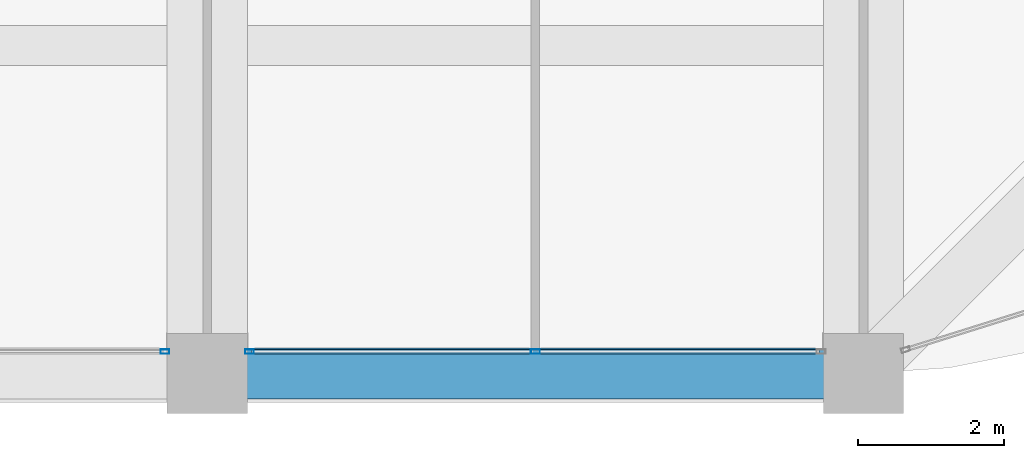
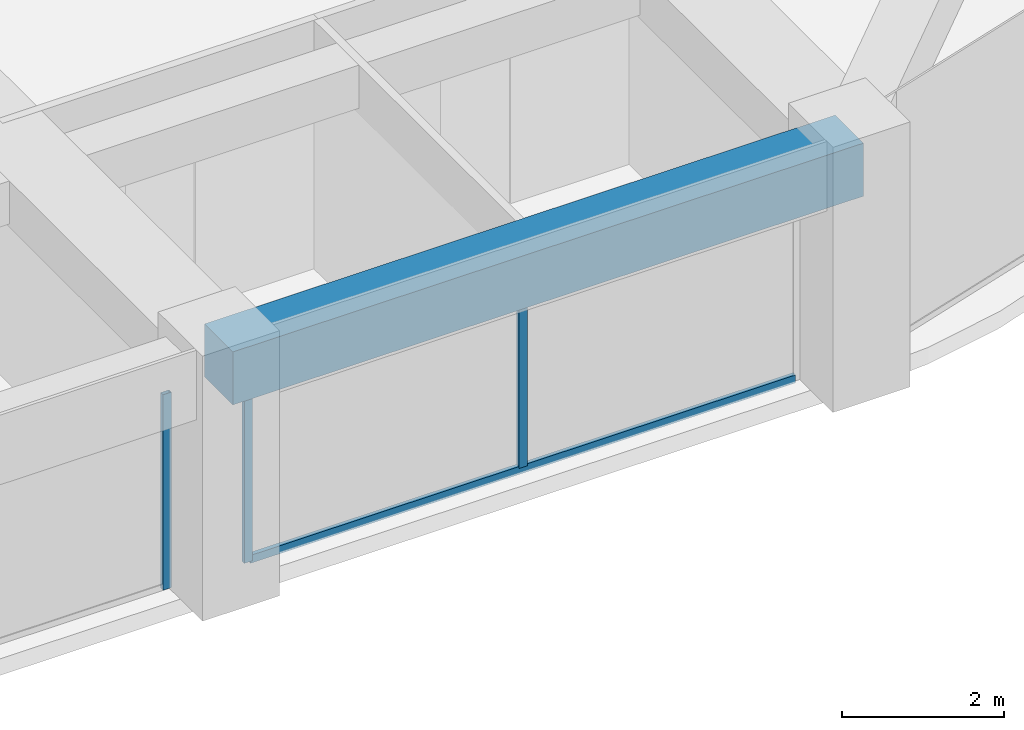
# One storey, part 11 of 44: 4 members, 1 beam, 2 elements without a shape of their own.
"""IFC4 building model written with IfcOpenShell, lengths in metres."""

from ifc_helpers import new_model, si_unit, direction, frame, origin, origin_2d, place, context, subcontext, project, spatial, rectangle, hollow_rectangle, extrude, material, material_profile, profile_set, type_object, element, aggregate, save


model = new_model("IFC4")

# Units and contexts
model_context = context("Model", 3, precision=1e-05, world=origin(), true_north=direction((0.0, 1.0)))
body_context = subcontext(model_context, "Body", "Model", "MODEL_VIEW")
ifc_project = project(units=[si_unit("LENGTHUNIT", "METRE"), si_unit("AREAUNIT", "SQUARE_METRE"), si_unit("VOLUMEUNIT", "CUBIC_METRE"), si_unit("PLANEANGLEUNIT", "RADIAN"), si_unit("MASSUNIT", "GRAM", prefix="KILO")], contexts=[model_context])

# Site, building, storey
site_placement = place(None, origin())
site = spatial("IfcSite", under=ifc_project, at=site_placement, CompositionType="ELEMENT")
building_placement = place(site_placement, origin())
building = spatial("IfcBuilding", under=site, at=building_placement, Name="Zorevar Civic Tower", CompositionType="ELEMENT")
storey_placement = place(building_placement, frame((0.0, 0.0, 259.39990234375)))
storey = spatial("IfcBuildingStorey", under=building, at=storey_placement, Name="L63", CompositionType="ELEMENT", Elevation=259.39990234375)

# Curtain wall, member
ifc_material_1 = material(Name="Dark grey solar-control glass in black aluminium frame", Category="aluminium")
curtain_wall_type = type_object("IfcCurtainWallType", Name="Curtain wall CW5 top zone", PredefinedType="NOTDEFINED", material=ifc_material_1)
curtain_wall_1_placement = place(storey_placement, origin())
curtain_wall_1 = element("IfcCurtainWall", 1, at=curtain_wall_1_placement, inside=storey, type_object=curtain_wall_type, Name="CW5 L63", PredefinedType="NOTDEFINED")
ifc_material_2 = material(Name="Aluminium, black anodised", Category="aluminium")
ifc_material_profile_1 = material_profile(ifc_material_2, hollow_rectangle(XDim=0.06005859375, YDim=0.1201171875, WallThickness=0.0029296875, at=origin_2d()), Name="AL 120x60x3")
ifc_profile_set_1 = profile_set([ifc_material_profile_1], Name="Aluminium, black anodised")
member_type_1 = type_object("IfcMemberType", Name="CW5 mullion AL 120x60x3", PredefinedType="MULLION", material=ifc_profile_set_1)
member_1_placement = place(storey_placement, frame((35.419921875, 0.300048828125, 0.0), z_axis=(0.0, 0.0, 1.0), x_axis=(0.0, 1.0, 0.0)))
member_1 = element("IfcMember", 2, at=member_1_placement, type_object=member_type_1, Name="CW5 mullion 3", PredefinedType="MULLION", context=body_context, shape_type="SweptSolid", body=[
    extrude(hollow_rectangle(XDim=0.06005859375, YDim=0.1201171875, WallThickness=0.0029296875, at=origin_2d()), origin(), (0.0, 0.0, 1.0), 2.9501953125),
])
aggregate(curtain_wall_1, [member_1])

# Curtain wall, members
curtain_wall_2_placement = place(storey_placement, origin())
curtain_wall_2 = element("IfcCurtainWall", 3, at=curtain_wall_2_placement, inside=storey, type_object=curtain_wall_type, Name="CW5 L63", PredefinedType="NOTDEFINED")
member_2_placement = place(storey_placement, frame((36.580078125, 0.300048828125, 0.0), z_axis=(0.0, 0.0, 1.0), x_axis=(0.0, 1.0, 0.0)))
member_2 = element("IfcMember", 4, at=member_2_placement, type_object=member_type_1, Name="CW5 mullion 1", PredefinedType="MULLION", context=body_context, shape_type="SweptSolid", body=[
    extrude(hollow_rectangle(XDim=0.06005859375, YDim=0.1201171875, WallThickness=0.0029296875, at=origin_2d()), origin(), (0.0, 0.0, 1.0), 2.9501953125),
])
member_3_placement = place(storey_placement, frame((40.5, 0.300048828125, 0.06005859375), z_axis=(0.0, 0.0, 1.0), x_axis=(0.0, 1.0, 0.0)))
member_3 = element("IfcMember", 5, at=member_3_placement, type_object=member_type_1, Name="CW5 mullion 2", PredefinedType="MULLION", context=body_context, shape_type="SweptSolid", body=[
    extrude(hollow_rectangle(XDim=0.06005859375, YDim=0.1201171875, WallThickness=0.0029296875, at=origin_2d()), origin(), (0.0, 0.0, 1.0), 2.89013671875),
])
ifc_material_3 = material(Name="Aluminium, black anodised", Category="aluminium")
ifc_material_profile_2 = material_profile(ifc_material_3, hollow_rectangle(XDim=0.06005859375, YDim=0.1201171875, WallThickness=0.0029296875, at=origin_2d()), Name="AL 120x60x3")
ifc_profile_set_2 = profile_set([ifc_material_profile_2], Name="Aluminium, black anodised")
member_type_2 = type_object("IfcMemberType", Name="CW5 transom AL 120x60x3", PredefinedType="USERDEFINED", material=ifc_profile_set_2)
member_4_placement = place(storey_placement, frame((36.610107421875, 0.300048828125, 0.030029296875), z_axis=(1.0, 0.0, 0.0), x_axis=(0.0, 1.0, 0.0)))
member_4 = element("IfcMember", 6, at=member_4_placement, type_object=member_type_2, Name="CW5 sill transom", ObjectType="TRANSOM", PredefinedType="USERDEFINED", context=body_context, shape_type="SweptSolid", body=[
    extrude(hollow_rectangle(XDim=0.06005859375, YDim=0.1201171875, WallThickness=0.0029296875, at=origin_2d()), origin(), (0.0, 0.0, 1.0), 7.77978515625),
])
aggregate(curtain_wall_2, [member_2, member_3, member_4])

# Beam
ifc_material_4 = material(Name="Concrete C50/60", Category="concrete")
ifc_material_profile_3 = material_profile(ifc_material_4, rectangle(XDim=0.699951171875, YDim=0.800048828125, at=origin_2d()), Name="RC 700x800")
ifc_profile_set_3 = profile_set([ifc_material_profile_3], Name="Concrete C50/60")
beam_type = type_object("IfcBeamType", Name="Edge beam RC 700x800", PredefinedType="SPANDREL", material=ifc_profile_set_3)
beam_placement = place(storey_placement, frame((36.0, 0.0, 3.35009765625), z_axis=(1.0, 0.0, 0.0), x_axis=(0.0, 1.0, 0.0)))
element("IfcBeam", 7, at=beam_placement, inside=storey, type_object=beam_type, Name="Edge beam L64", PredefinedType="SPANDREL", context=body_context, shape_type="SweptSolid", body=[
    extrude(rectangle(XDim=0.699951171875, YDim=0.800048828125, at=origin_2d()), origin(), (0.0, 0.0, 1.0), 9.0),
])

save(model, "model.ifc")
